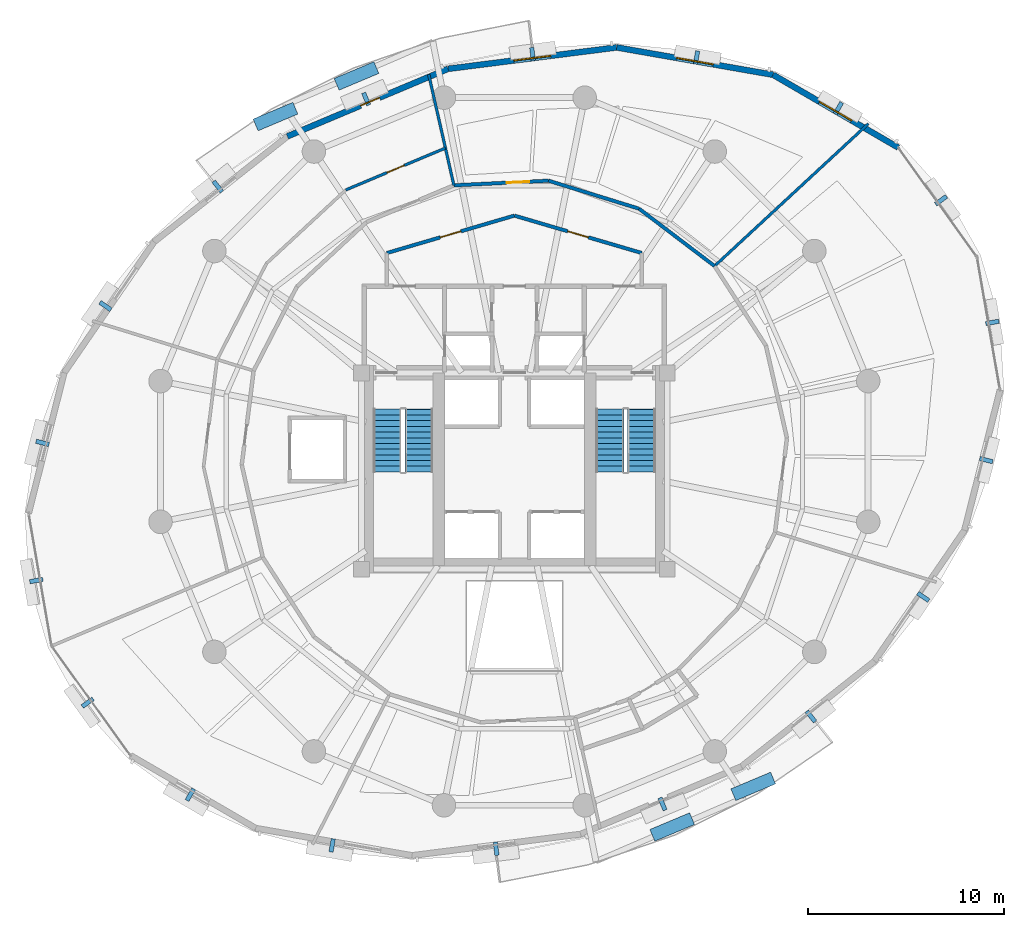
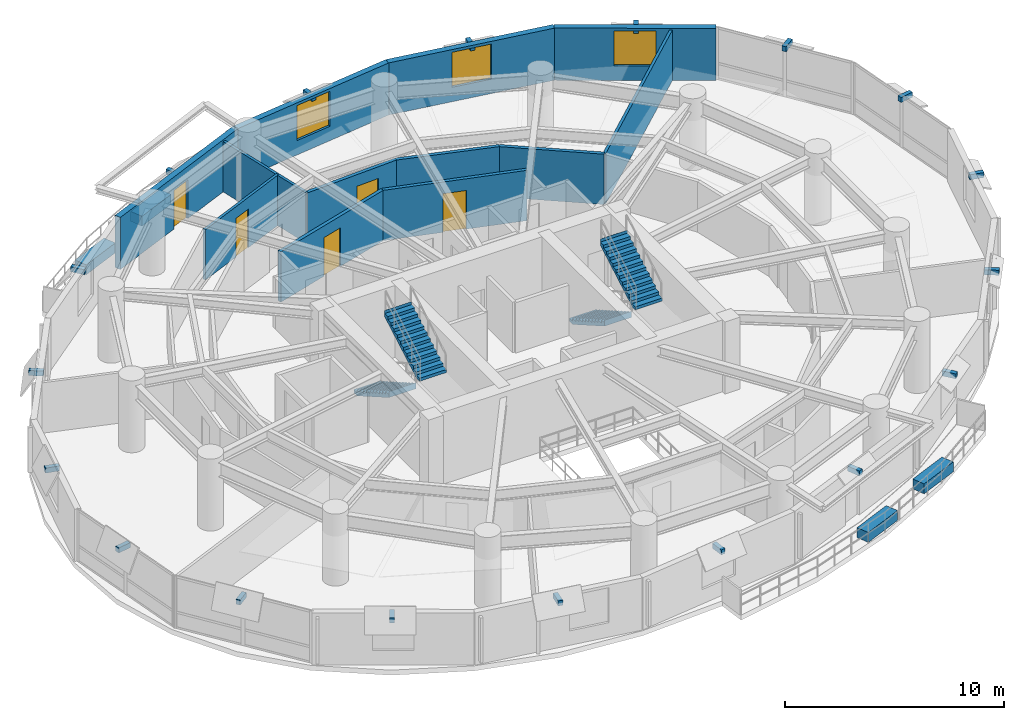
# One storey, part 12 of 14: 22 discrete accessories, 12 walls, 5 doors, 4 stair flights, 3 windows, 8 openings, 2 elements without a shape of their own.
"""IFC4 building model written with IfcOpenShell, lengths in metres."""

from ifc_helpers import new_model, si_unit, direction, frame, frame_2d, origin, origin_2d, place, context, subcontext, project, spatial, polyline, rectangle, outline, extrude, material, layer, layer_set, type_object, element, fill, aggregate, save


model = new_model("IFC4")

# Units and contexts
model_context = context("Model", 3, precision=1e-05, world=origin(), true_north=direction((0.0, 1.0)))
body_context = subcontext(model_context, "Body", "Model", "MODEL_VIEW")
ifc_project = project(units=[si_unit("LENGTHUNIT", "METRE"), si_unit("AREAUNIT", "SQUARE_METRE"), si_unit("VOLUMEUNIT", "CUBIC_METRE"), si_unit("PLANEANGLEUNIT", "RADIAN"), si_unit("MASSUNIT", "GRAM", prefix="KILO"), si_unit("THERMODYNAMICTEMPERATUREUNIT", "KELVIN"), si_unit("POWERUNIT", "WATT")], contexts=[model_context])

# Site, building, storey
site_placement = place(None, origin())
site = spatial("IfcSite", under=ifc_project, at=site_placement, CompositionType="ELEMENT")
building_placement = place(site_placement, origin())
building = spatial("IfcBuilding", under=site, at=building_placement, Name="Ocrelia Relay Tower", CompositionType="ELEMENT")
storey_placement = place(building_placement, frame((0.0, 0.0, 129.800048828125)))
storey = spatial("IfcBuildingStorey", under=building, at=storey_placement, Name="L30", CompositionType="ELEMENT", Elevation=129.800048828125)

# Wall, opening, door
ifc_material_1 = material(Name="Gypsum Fireboard Partition EI60", Category="gypsum")
ifc_layer_1 = layer(ifc_material_1, 0.179931640625, Name="Gypsum Fireboard Partition EI60")
ifc_layer_set_1 = layer_set([ifc_layer_1], Name="Gypsum Fireboard Partition EI60")
wall_type_1 = type_object("IfcWallType", Name="W-CORR-EI60-180", PredefinedType="PARTITIONING", material=ifc_layer_set_1)
wall_1_placement = place(storey_placement, frame((27.5, 36.122802734375, 0.0), z_axis=(0.0, 0.0, 1.0), x_axis=(0.959546654541, 0.281549671923, 0.0)))
wall_1 = element("IfcWall", 1, at=wall_1_placement, inside=storey, type_object=wall_type_1, Name="L30 North Smoke Lobby W Screen Wall", PredefinedType="PARTITIONING", context=body_context, shape_type="SweptSolid", body=[
    extrude(rectangle(XDim=6.77392578125, YDim=0.179931640625, at=frame_2d((3.386962890625, 0.0))), origin(), (0.0, 0.0, 1.0), 2.800048828125),
])
opening_1_placement = place(wall_1_placement, frame((2.8369140625, 0.0, 0.0)))
opening_1 = element("IfcOpeningElement", 2, at=opening_1_placement, cuts=wall_1, Name="Opening D-FD60", PredefinedType="OPENING", context=body_context, shape_type="SweptSolid", body=[
    extrude(rectangle(XDim=1.10009765625, YDim=2.14990234375, at=frame_2d((0.550048828125, 1.074951171875))), frame((0.0, 0.10009765625, 0.0), z_axis=(0.0, -1.0, 0.0), x_axis=(1.0, 0.0, 0.0)), (0.0, 0.0, 1.0), 0.199951171875),
])
ifc_material_2 = material(Name="Timber-core 60-min acoustic fire door", Category="wood")
door_type_1 = type_object("IfcDoorType", Name="DR-LOBBY-FD60-1100", OperationType="NOTDEFINED", PredefinedType="DOOR", material=ifc_material_2)
door_1_placement = place(opening_1_placement, origin())
door_1 = element("IfcDoor", 3, at=door_1_placement, inside=storey, type_object=door_type_1, Name="L30 North Smoke Lobby W Fire Door", OperationType="SINGLE_SWING_RIGHT", OverallHeight=2.14990234375, OverallWidth=1.10009765625, PredefinedType="DOOR", context=body_context, shape_type="SweptSolid", body=[
    extrude(rectangle(XDim=1.10009765625, YDim=2.14990234375, at=frame_2d((0.550048828125, 1.074951171875))), frame((0.0, 0.02490234375, 0.0), z_axis=(0.0, -1.0, 0.0), x_axis=(1.0, 0.0, 0.0)), (0.0, 0.0, 1.0), 0.050048828125),
])
fill(opening_1, door_1)

wall_2_placement = place(storey_placement, frame((34.0, 38.030029296875, 0.0), z_axis=(0.0, 0.0, 1.0), x_axis=(0.959546654541, -0.281549671923, 0.0)))
wall_2 = element("IfcWall", 4, at=wall_2_placement, inside=storey, type_object=wall_type_1, Name="L30 North Smoke Lobby E Screen Wall", PredefinedType="PARTITIONING", context=body_context, shape_type="SweptSolid", body=[
    extrude(rectangle(XDim=6.77392578125, YDim=0.179931640625, at=frame_2d((3.386962890625, 0.0))), origin(), (0.0, 0.0, 1.0), 2.800048828125),
])
opening_2_placement = place(wall_2_placement, frame((2.8369140625, 0.0, 0.0)))
opening_2 = element("IfcOpeningElement", 5, at=opening_2_placement, cuts=wall_2, Name="Opening D-FD60", PredefinedType="OPENING", context=body_context, shape_type="SweptSolid", body=[
    extrude(rectangle(XDim=1.10009765625, YDim=2.14990234375, at=frame_2d((0.550048828125, 1.074951171875))), frame((0.0, 0.10009765625, 0.0), z_axis=(0.0, -1.0, 0.0), x_axis=(1.0, 0.0, 0.0)), (0.0, 0.0, 1.0), 0.199951171875),
])
door_2_placement = place(opening_2_placement, origin())
door_2 = element("IfcDoor", 6, at=door_2_placement, inside=storey, type_object=door_type_1, Name="L30 North Smoke Lobby E Fire Door", OperationType="SINGLE_SWING_LEFT", OverallHeight=2.14990234375, OverallWidth=1.10009765625, PredefinedType="DOOR", context=body_context, shape_type="SweptSolid", body=[
    extrude(rectangle(XDim=1.10009765625, YDim=2.14990234375, at=frame_2d((0.550048828125, 1.074951171875))), frame((0.0, 0.02490234375, 0.0), z_axis=(0.0, -1.0, 0.0), x_axis=(1.0, 0.0, 0.0)), (0.0, 0.0, 1.0), 0.050048828125),
])
fill(opening_2, door_2)

# Walls
wall_3_placement = place(storey_placement, frame((44.21337890625, 35.457763671875, 0.0), z_axis=(0.0, 0.0, 1.0), x_axis=(-0.796520179577, 0.604611944579, 0.0)))
element("IfcWall", 7, at=wall_3_placement, inside=storey, type_object=wall_type_1, Name="L30 Optical Switching Hall B Corridor Partition 1", PredefinedType="PARTITIONING", context=body_context, shape_type="SweptSolid", body=[
    extrude(rectangle(XDim=4.834228515625, YDim=0.179931640625, at=frame_2d((2.4169921875, 0.0))), origin(), (0.0, 0.0, 1.0), 2.800048828125),
])
wall_4_placement = place(storey_placement, frame((40.36279296875, 38.380615234375, 0.0), z_axis=(0.0, 0.0, 1.0), x_axis=(-0.955270945658, 0.295732007706, 0.0)))
element("IfcWall", 8, at=wall_4_placement, inside=storey, type_object=wall_type_1, Name="L30 Optical Switching Hall B Corridor Partition 2", PredefinedType="PARTITIONING", context=body_context, shape_type="SweptSolid", body=[
    extrude(rectangle(XDim=4.83447265625, YDim=0.179931640625, at=frame_2d((2.417236328125, 0.0))), origin(), (0.0, 0.0, 1.0), 2.800048828125),
])

# Wall, opening, door
wall_5_placement = place(storey_placement, frame((35.74462890625, 39.810302734375, 0.0), z_axis=(0.0, 0.0, 1.0), x_axis=(-0.998806890168, -0.048834374699, 0.0)))
wall_5 = element("IfcWall", 9, at=wall_5_placement, inside=storey, type_object=wall_type_1, Name="L30 Optical Switching Hall B Corridor Partition 3", PredefinedType="PARTITIONING", context=body_context, shape_type="SweptSolid", body=[
    extrude(rectangle(XDim=4.83447265625, YDim=0.179931640625, at=frame_2d((2.417236328125, 0.0))), origin(), (0.0, 0.0, 1.0), 2.800048828125),
])
opening_3_placement = place(wall_5_placement, frame((0.99609375, 0.0, 0.0)))
opening_3 = element("IfcOpeningElement", 10, at=opening_3_placement, cuts=wall_5, Name="Opening D-RM115", PredefinedType="OPENING", context=body_context, shape_type="SweptSolid", body=[
    extrude(rectangle(XDim=1.14990234375, YDim=2.14990234375, at=frame_2d((0.574951171875, 1.074951171875))), frame((0.0, 0.10009765625, 0.0), z_axis=(0.0, -1.0, 0.0), x_axis=(1.0, 0.0, 0.0)), (0.0, 0.0, 1.0), 0.199951171875),
])
ifc_material_3 = material(Name="Wide acoustic oak veneer fire door", Category="wood")
door_type_2 = type_object("IfcDoorType", Name="DR-ROOM-1150", OperationType="NOTDEFINED", PredefinedType="DOOR", material=ifc_material_3)
door_3_placement = place(opening_3_placement, origin())
door_3 = element("IfcDoor", 11, at=door_3_placement, inside=storey, type_object=door_type_2, Name="L30 Optical Switching Hall B Entrance Door", OperationType="SINGLE_SWING_RIGHT", OverallHeight=2.14990234375, OverallWidth=1.14990234375, PredefinedType="DOOR", context=body_context, shape_type="SweptSolid", body=[
    extrude(rectangle(XDim=1.14990234375, YDim=2.14990234375, at=frame_2d((0.574951171875, 1.074951171875))), frame((0.0, 0.02490234375, 0.0), z_axis=(0.0, -1.0, 0.0), x_axis=(1.0, 0.0, 0.0)), (0.0, 0.0, 1.0), 0.050048828125),
])
fill(opening_3, door_3)

# Wall, opening, window
ifc_material_4 = material(Name="Precast concrete C40/50 with oxide terracotta", Category="masonry")
ifc_layer_2 = layer(ifc_material_4, 0.300048828125, Name="Precast concrete C40/50 with oxide terracotta")
ifc_layer_set_2 = layer_set([ifc_layer_2], Name="Precast concrete C40/50 with oxide terracotta")
wall_type_2 = type_object("IfcWallType", Name="W-EXT-TERR-300", PredefinedType="SOLIDWALL", material=ifc_layer_set_2)
wall_6_placement = place(storey_placement, frame((53.57861328125, 41.501953125, 0.0), z_axis=(0.0, 0.0, 1.0), x_axis=(-0.864447367907, 0.502723331585, 0.0)))
wall_6 = element("IfcWall", 12, at=wall_6_placement, inside=storey, type_object=wall_type_2, Name="L30 Oxide Terracotta Facade Wall 02", PredefinedType="SOLIDWALL", context=body_context, shape_type="SweptSolid", body=[
    extrude(rectangle(XDim=7.383056640625, YDim=0.300048828125, at=frame_2d((3.69140625, 0.0))), origin(), (0.0, 0.0, 1.0), 2.89990234375),
])
opening_4_placement = place(wall_6_placement, frame((2.741943359375, 0.0, 0.800048828125)))
opening_4 = element("IfcOpeningElement", 13, at=opening_4_placement, cuts=wall_6, Name="Opening W-06", PredefinedType="OPENING", context=body_context, shape_type="SweptSolid", body=[
    extrude(rectangle(XDim=1.89990234375, YDim=1.949951171875, at=frame_2d((0.949951171875, 0.97509765625))), frame((0.0, 0.16015625, 0.0), z_axis=(0.0, -1.0, 0.0), x_axis=(1.0, 0.0, 0.0)), (0.0, 0.0, 1.0), 0.320068359375),
])
ifc_material_5 = material(Name="Clear double-glazed low-E glass", Category="glass")
window_type = type_object("IfcWindowType", Name="WIN-Z2-1900x2100", PartitioningType="DOUBLE_PANEL_VERTICAL", PredefinedType="WINDOW", material=ifc_material_5)
window_1_placement = place(opening_4_placement, origin())
window_1 = element("IfcWindow", 14, at=window_1_placement, inside=storey, type_object=window_type, Name="L30 Facade Module Window 02", OverallHeight=1.949951171875, OverallWidth=1.89990234375, PartitioningType="SINGLE_PANEL", PredefinedType="WINDOW", context=body_context, shape_type="SweptSolid", body=[
    extrude(rectangle(XDim=1.89990234375, YDim=1.949951171875, at=frame_2d((0.949951171875, 0.97509765625))), frame((0.0, 0.030029296875, 0.0), z_axis=(0.0, -1.0, 0.0), x_axis=(1.0, 0.0, 0.0)), (0.0, 0.0, 1.0), 0.06005859375),
])
fill(opening_4, window_1)

wall_7_placement = place(storey_placement, frame((47.1962890625, 45.213623046875, 0.0), z_axis=(0.0, 0.0, 1.0), x_axis=(-0.985055293806, 0.172238404964, 0.0)))
wall_7 = element("IfcWall", 15, at=wall_7_placement, inside=storey, type_object=wall_type_2, Name="L30 Oxide Terracotta Facade Wall 03", PredefinedType="SOLIDWALL", context=body_context, shape_type="SweptSolid", body=[
    extrude(rectangle(XDim=8.09521484375, YDim=0.300048828125, at=frame_2d((4.047607421875, 0.0))), origin(), (0.0, 0.0, 1.0), 2.89990234375),
])
opening_5_placement = place(wall_7_placement, frame((3.097900390625, 0.0, 0.800048828125)))
opening_5 = element("IfcOpeningElement", 16, at=opening_5_placement, cuts=wall_7, Name="Opening W-06", PredefinedType="OPENING", context=body_context, shape_type="SweptSolid", body=[
    extrude(rectangle(XDim=1.89990234375, YDim=1.949951171875, at=frame_2d((0.949951171875, 0.97509765625))), frame((0.0, 0.16015625, 0.0), z_axis=(0.0, -1.0, 0.0), x_axis=(1.0, 0.0, 0.0)), (0.0, 0.0, 1.0), 0.320068359375),
])
window_2_placement = place(opening_5_placement, origin())
window_2 = element("IfcWindow", 17, at=window_2_placement, inside=storey, type_object=window_type, Name="L30 Facade Module Window 03", OverallHeight=1.949951171875, OverallWidth=1.89990234375, PartitioningType="SINGLE_PANEL", PredefinedType="WINDOW", context=body_context, shape_type="SweptSolid", body=[
    extrude(rectangle(XDim=1.89990234375, YDim=1.949951171875, at=frame_2d((0.949951171875, 0.97509765625))), frame((0.0, 0.030029296875, 0.0), z_axis=(0.0, -1.0, 0.0), x_axis=(1.0, 0.0, 0.0)), (0.0, 0.0, 1.0), 0.06005859375),
])
fill(opening_5, window_2)

wall_8_placement = place(storey_placement, frame((39.22216796875, 46.60791015625, 0.0), z_axis=(0.0, 0.0, 1.0), x_axis=(-0.992051922293, -0.12582918372, 0.0)))
wall_8 = element("IfcWall", 18, at=wall_8_placement, inside=storey, type_object=wall_type_2, Name="L30 Oxide Terracotta Facade Wall 04", PredefinedType="SOLIDWALL", context=body_context, shape_type="SweptSolid", body=[
    extrude(rectangle(XDim=8.6728515625, YDim=0.300048828125, at=frame_2d((4.33642578125, 0.0))), origin(), (0.0, 0.0, 1.0), 2.89990234375),
])
opening_6_placement = place(wall_8_placement, frame((3.385986328125, 0.0, 0.800048828125)))
opening_6 = element("IfcOpeningElement", 19, at=opening_6_placement, cuts=wall_8, Name="Opening W-06", PredefinedType="OPENING", context=body_context, shape_type="SweptSolid", body=[
    extrude(rectangle(XDim=1.89990234375, YDim=1.949951171875, at=frame_2d((0.949951171875, 0.97509765625))), frame((0.0, 0.16015625, 0.0), z_axis=(0.0, -1.0, 0.0), x_axis=(1.0, 0.0, 0.0)), (0.0, 0.0, 1.0), 0.320068359375),
])
window_3_placement = place(opening_6_placement, origin())
window_3 = element("IfcWindow", 20, at=window_3_placement, inside=storey, type_object=window_type, Name="L30 Facade Module Window 04", OverallHeight=1.949951171875, OverallWidth=1.89990234375, PartitioningType="SINGLE_PANEL", PredefinedType="WINDOW", context=body_context, shape_type="SweptSolid", body=[
    extrude(rectangle(XDim=1.89990234375, YDim=1.949951171875, at=frame_2d((0.949951171875, 0.97509765625))), frame((0.0, 0.030029296875, 0.0), z_axis=(0.0, -1.0, 0.0), x_axis=(1.0, 0.0, 0.0)), (0.0, 0.0, 1.0), 0.06005859375),
])
fill(opening_6, window_3)

# Wall, opening, door
wall_9_placement = place(storey_placement, frame((30.6181640625, 45.5166015625, 0.0), z_axis=(0.0, 0.0, 1.0), x_axis=(-0.921862650999, -0.387516777305, 0.0)))
wall_9 = element("IfcWall", 21, at=wall_9_placement, inside=storey, type_object=wall_type_2, Name="L30 Oxide Terracotta Facade Wall 05", PredefinedType="SOLIDWALL", context=body_context, shape_type="SweptSolid", body=[
    extrude(rectangle(XDim=8.890625, YDim=0.300048828125, at=frame_2d((4.4453125, 0.0))), origin(), (0.0, 0.0, 1.0), 2.89990234375),
])
opening_7_placement = place(wall_9_placement, frame((3.7900390625, 0.0, 0.0)))
opening_7 = element("IfcOpeningElement", 22, at=opening_7_placement, cuts=wall_9, Name="Opening DB-105", PredefinedType="OPENING", context=body_context, shape_type="SweptSolid", body=[
    extrude(rectangle(XDim=1.050048828125, YDim=2.14990234375, at=frame_2d((0.52490234375, 1.074951171875))), frame((0.0, 0.16015625, 0.0), z_axis=(0.0, -1.0, 0.0), x_axis=(1.0, 0.0, 0.0)), (0.0, 0.0, 1.0), 0.320068359375),
])
ifc_material_6 = material(Name="Thermally broken aluminium and clear glass", Category="aluminium")
door_type_3 = type_object("IfcDoorType", Name="DR-BALC-1050", OperationType="NOTDEFINED", PredefinedType="DOOR", material=ifc_material_6)
door_4_placement = place(opening_7_placement, origin())
door_4 = element("IfcDoor", 23, at=door_4_placement, inside=storey, type_object=door_type_3, Name="L30 Planted Loggia Balcony Door B1", OperationType="SINGLE_SWING_LEFT", OverallHeight=2.14990234375, OverallWidth=1.050048828125, PredefinedType="DOOR", context=body_context, shape_type="SweptSolid", body=[
    extrude(rectangle(XDim=1.050048828125, YDim=2.14990234375, at=frame_2d((0.52490234375, 1.074951171875))), frame((0.0, 0.02490234375, 0.0), z_axis=(0.0, -1.0, 0.0), x_axis=(1.0, 0.0, 0.0)), (0.0, 0.0, 1.0), 0.050048828125),
])
fill(opening_7, door_4)

# Walls
ifc_material_7 = material(Name="Acoustic Fireboard Partition EI60", Category="gypsum")
ifc_layer_3 = layer(ifc_material_7, 0.139892578125, Name="Acoustic Fireboard Partition EI60")
ifc_layer_set_3 = layer_set([ifc_layer_3], Name="Acoustic Fireboard Partition EI60")
wall_type_3 = type_object("IfcWallType", Name="W-PART-140", PredefinedType="PARTITIONING", material=ifc_layer_set_3)
wall_10_placement = place(storey_placement, frame((44.21337890625, 35.457763671875, 0.0), z_axis=(0.0, 0.0, 1.0), x_axis=(0.733742531986, 0.679427624368, 0.0)))
element("IfcWall", 24, at=wall_10_placement, inside=storey, type_object=wall_type_3, Name="L30 Optical Switching Hall A Radial Partition", PredefinedType="PARTITIONING", context=body_context, shape_type="SweptSolid", body=[
    extrude(rectangle(XDim=10.684326171875, YDim=0.139892578125, at=frame_2d((5.34228515625, 0.0))), origin(), (0.0, 0.0, 1.0), 2.800048828125),
])
wall_11_placement = place(storey_placement, frame((30.916015625, 39.57421875, 0.0), z_axis=(0.0, 0.0, 1.0), x_axis=(-0.221533824593, 0.975152687819, 0.0)))
element("IfcWall", 25, at=wall_11_placement, inside=storey, type_object=wall_type_3, Name="L30 Optical Switching Hall B Radial Partition", PredefinedType="PARTITIONING", context=body_context, shape_type="SweptSolid", body=[
    extrude(rectangle(XDim=5.803466796875, YDim=0.139892578125, at=frame_2d((2.90185546875, 0.0))), origin(), (0.0, 0.0, 1.0), 2.800048828125),
])

# Wall, opening, door
wall_12_placement = place(storey_placement, frame((30.48388671875, 41.4755859375, 0.0), z_axis=(0.0, 0.0, 1.0), x_axis=(-0.92186534913, -0.387510358666, 0.0)))
wall_12 = element("IfcWall", 26, at=wall_12_placement, inside=storey, type_object=wall_type_3, Name="L30 Perimeter Equipment Staging Store Mid-Ring Partition 1", PredefinedType="PARTITIONING", context=body_context, shape_type="SweptSolid", body=[
    extrude(rectangle(XDim=5.511474609375, YDim=0.139892578125, at=frame_2d((2.755859375, 0.0))), origin(), (0.0, 0.0, 1.0), 2.800048828125),
])
opening_8_placement = place(wall_12_placement, frame((2.28076171875, 0.0, 0.0)))
opening_8 = element("IfcOpeningElement", 27, at=opening_8_placement, cuts=wall_12, Name="Opening D-RM95", PredefinedType="OPENING", context=body_context, shape_type="SweptSolid", body=[
    extrude(rectangle(XDim=0.949951171875, YDim=2.14990234375, at=frame_2d((0.47509765625, 1.074951171875))), frame((0.0, 0.080078125, 0.0), z_axis=(0.0, -1.0, 0.0), x_axis=(1.0, 0.0, 0.0)), (0.0, 0.0, 1.0), 0.159912109375),
])
ifc_material_8 = material(Name="Acoustic oak veneer fire door", Category="wood")
door_type_4 = type_object("IfcDoorType", Name="DR-ROOM-950", OperationType="NOTDEFINED", PredefinedType="DOOR", material=ifc_material_8)
door_5_placement = place(opening_8_placement, origin())
door_5 = element("IfcDoor", 28, at=door_5_placement, inside=storey, type_object=door_type_4, Name="L30 Perimeter Equipment Staging Store Connecting Door", OperationType="SINGLE_SWING_RIGHT", OverallHeight=2.14990234375, OverallWidth=0.949951171875, PredefinedType="DOOR", context=body_context, shape_type="SweptSolid", body=[
    extrude(rectangle(XDim=0.949951171875, YDim=2.14990234375, at=frame_2d((0.47509765625, 1.074951171875))), frame((0.0, 0.02490234375, 0.0), z_axis=(0.0, -1.0, 0.0), x_axis=(1.0, 0.0, 0.0)), (0.0, 0.0, 1.0), 0.050048828125),
])
fill(opening_8, door_5)

# Stair, stair flights
ifc_material_9 = material(Name="Concrete C50/60", Category="concrete")
stair_type = type_object("IfcStairType", Name="ST-DL-1420-R167", PredefinedType="HALF_TURN_STAIR", material=ifc_material_9)
stair_1_placement = place(storey_placement, origin())
stair_1 = element("IfcStair", 29, at=stair_1_placement, inside=storey, type_object=stair_type, Name="L30 West Core Exit Stair ST1", PredefinedType="HALF_TURN_STAIR")
stair_flight_type = type_object("IfcStairFlightType", Name="STF-DL-1420-R167", PredefinedType="STRAIGHT", material=ifc_material_9)
stair_flight_1_placement = place(storey_placement, frame((27.52001953125, 28.14990234375, 0.0), z_axis=(0.0, 0.0, 1.0), x_axis=(0.0, -1.0, 0.0)))
stair_flight_1 = element("IfcStairFlight", 30, at=stair_flight_1_placement, type_object=stair_flight_type, Name="ST1 flight 1", NumberOfRisers=12, NumberOfTreads=11, PredefinedType="STRAIGHT", RiserHeight=0.166666667, TreadLength=0.29, context=body_context, shape_type="SweptSolid", body=[
    extrude(outline(polyline([(-0.008056640625, 0.0), (-0.008056640625, 0.166748046875), (0.0, 0.166748046875), (0.2900390625, 0.166748046875), (0.2900390625, 0.333251953125), (0.580078125, 0.333251953125), (0.580078125, 0.5), (0.8701171875, 0.5), (0.8701171875, 0.666748046875), (1.159912109375, 0.666748046875), (1.159912109375, 0.833251953125), (1.449951171875, 0.833251953125), (1.449951171875, 1.0), (1.739990234375, 1.0), (1.739990234375, 1.166748046875), (2.030029296875, 1.166748046875), (2.030029296875, 1.333251953125), (2.320068359375, 1.333251953125), (2.320068359375, 1.5), (2.610107421875, 1.5), (2.610107421875, 1.666748046875), (2.89990234375, 1.666748046875), (2.89990234375, 1.833251953125), (3.18994140625, 1.833251953125), (3.18994140625, 2.0), (3.197998046875, 2.0), (3.197998046875, 1.660400390625), (0.30078125, 0.0), (-0.008056640625, 0.0)])), frame((0.0, 0.7099609375, 0.0), z_axis=(0.0, -1.0, 0.0), x_axis=(1.0, 0.0, 0.0)), (0.0, 0.0, 1.0), 1.419921875),
])
stair_flight_2_placement = place(storey_placement, frame((29.139892578125, 24.9599609375, 2.0), z_axis=(0.0, 0.0, 1.0), x_axis=(0.0, 1.0, 0.0)))
stair_flight_2 = element("IfcStairFlight", 31, at=stair_flight_2_placement, type_object=stair_flight_type, Name="ST1 flight 2", NumberOfRisers=12, NumberOfTreads=11, PredefinedType="STRAIGHT", RiserHeight=0.166666667, TreadLength=0.29, context=body_context, shape_type="SweptSolid", body=[
    extrude(outline(polyline([(-0.008056640625, 0.0), (-0.008056640625, 0.166748046875), (0.0, 0.166748046875), (0.2900390625, 0.166748046875), (0.2900390625, 0.333251953125), (0.580078125, 0.333251953125), (0.580078125, 0.5), (0.8701171875, 0.5), (0.8701171875, 0.666748046875), (1.159912109375, 0.666748046875), (1.159912109375, 0.833251953125), (1.449951171875, 0.833251953125), (1.449951171875, 1.0), (1.739990234375, 1.0), (1.739990234375, 1.166748046875), (2.030029296875, 1.166748046875), (2.030029296875, 1.333251953125), (2.320068359375, 1.333251953125), (2.320068359375, 1.5), (2.610107421875, 1.5), (2.610107421875, 1.666748046875), (2.89990234375, 1.666748046875), (2.89990234375, 1.833251953125), (3.18994140625, 1.833251953125), (3.18994140625, 2.0), (3.197998046875, 2.0), (3.197998046875, 1.660400390625), (0.30078125, 0.0), (-0.008056640625, 0.0)])), frame((0.0, 0.7099609375, 0.0), z_axis=(0.0, -1.0, 0.0), x_axis=(1.0, 0.0, 0.0)), (0.0, 0.0, 1.0), 1.419921875),
])
aggregate(stair_1, [stair_flight_1, stair_flight_2])

stair_2_placement = place(storey_placement, origin())
stair_2 = element("IfcStair", 32, at=stair_2_placement, inside=storey, type_object=stair_type, Name="L30 East Core Exit Stair ST2", PredefinedType="HALF_TURN_STAIR")
stair_flight_3_placement = place(storey_placement, frame((38.8701171875, 28.14990234375, 0.0), z_axis=(0.0, 0.0, 1.0), x_axis=(0.0, -1.0, 0.0)))
stair_flight_3 = element("IfcStairFlight", 33, at=stair_flight_3_placement, type_object=stair_flight_type, Name="ST2 flight 1", NumberOfRisers=12, NumberOfTreads=11, PredefinedType="STRAIGHT", RiserHeight=0.166666667, TreadLength=0.29, context=body_context, shape_type="SweptSolid", body=[
    extrude(outline(polyline([(-0.008056640625, 0.0), (-0.008056640625, 0.166748046875), (0.0, 0.166748046875), (0.2900390625, 0.166748046875), (0.2900390625, 0.333251953125), (0.580078125, 0.333251953125), (0.580078125, 0.5), (0.8701171875, 0.5), (0.8701171875, 0.666748046875), (1.159912109375, 0.666748046875), (1.159912109375, 0.833251953125), (1.449951171875, 0.833251953125), (1.449951171875, 1.0), (1.739990234375, 1.0), (1.739990234375, 1.166748046875), (2.030029296875, 1.166748046875), (2.030029296875, 1.333251953125), (2.320068359375, 1.333251953125), (2.320068359375, 1.5), (2.610107421875, 1.5), (2.610107421875, 1.666748046875), (2.89990234375, 1.666748046875), (2.89990234375, 1.833251953125), (3.18994140625, 1.833251953125), (3.18994140625, 2.0), (3.197998046875, 2.0), (3.197998046875, 1.660400390625), (0.30078125, 0.0), (-0.008056640625, 0.0)])), frame((0.0, 0.7099609375, 0.0), z_axis=(0.0, -1.0, 0.0), x_axis=(1.0, 0.0, 0.0)), (0.0, 0.0, 1.0), 1.419921875),
])
stair_flight_4_placement = place(storey_placement, frame((40.489990234375, 24.9599609375, 2.0), z_axis=(0.0, 0.0, 1.0), x_axis=(0.0, 1.0, 0.0)))
stair_flight_4 = element("IfcStairFlight", 34, at=stair_flight_4_placement, type_object=stair_flight_type, Name="ST2 flight 2", NumberOfRisers=12, NumberOfTreads=11, PredefinedType="STRAIGHT", RiserHeight=0.166666667, TreadLength=0.29, context=body_context, shape_type="SweptSolid", body=[
    extrude(outline(polyline([(-0.008056640625, 0.0), (-0.008056640625, 0.166748046875), (0.0, 0.166748046875), (0.2900390625, 0.166748046875), (0.2900390625, 0.333251953125), (0.580078125, 0.333251953125), (0.580078125, 0.5), (0.8701171875, 0.5), (0.8701171875, 0.666748046875), (1.159912109375, 0.666748046875), (1.159912109375, 0.833251953125), (1.449951171875, 0.833251953125), (1.449951171875, 1.0), (1.739990234375, 1.0), (1.739990234375, 1.166748046875), (2.030029296875, 1.166748046875), (2.030029296875, 1.333251953125), (2.320068359375, 1.333251953125), (2.320068359375, 1.5), (2.610107421875, 1.5), (2.610107421875, 1.666748046875), (2.89990234375, 1.666748046875), (2.89990234375, 1.833251953125), (3.18994140625, 1.833251953125), (3.18994140625, 2.0), (3.197998046875, 2.0), (3.197998046875, 1.660400390625), (0.30078125, 0.0), (-0.008056640625, 0.0)])), frame((0.0, 0.7099609375, 0.0), z_axis=(0.0, -1.0, 0.0), x_axis=(1.0, 0.0, 0.0)), (0.0, 0.0, 1.0), 1.419921875),
])
aggregate(stair_2, [stair_flight_3, stair_flight_4])

# Discrete accessories
ifc_material_10 = material(Name="Precast concrete C40/50 planter with highland greenery", Category="concrete")
discrete_accessory_type_1 = type_object("IfcDiscreteAccessoryType", Name="ACC-BALC-PLANTER", PredefinedType="USERDEFINED", material=ifc_material_10)
for number, where, z_axis, x_axis, name in (
    (35, (25.948486328125, 45.15380859375, 0.0), (0.0, 0.0, 1.0), (0.921863681279, 0.387514326367, 0.0), "L30 Balcony Terracotta Planter with Greenery B1"),
    (36, (21.817138671875, 43.081298828125, 0.0), (0.0, 0.0, 1.0), (0.921863681279, 0.387514326367, 0.0), "L30 Balcony Terracotta Planter B1-2"),
    (37, (42.051513671875, 6.84619140625, 0.0), (0.0, 0.0, 1.0), (-0.921863681279, -0.387514326367, 0.0), "L30 Balcony Terracotta Planter with Greenery B2"),
    (38, (46.182861328125, 8.918701171875, 0.0), (0.0, 0.0, 1.0), (-0.921863681279, -0.387514326367, 0.0), "L30 Balcony Terracotta Planter B2-2"),
):
    element("IfcDiscreteAccessory", number, at=place(storey_placement, frame(where, z_axis=z_axis, x_axis=x_axis)), inside=storey, type_object=discrete_accessory_type_1, Name=name, ObjectType="PLANTER", PredefinedType="USERDEFINED", context=body_context, shape_type="SweptSolid", body=[
        extrude(rectangle(XDim=2.199951171875, YDim=0.64990234375, at=origin_2d()), origin(), (0.0, 0.0, 1.0), 0.550048828125),
    ])
ifc_material_11 = material(Name="Steel S355", Category="steel")
discrete_accessory_type_2 = type_object("IfcDiscreteAccessoryType", Name="ACC-VISOR-BRACKET", PredefinedType="BRACKET", material=ifc_material_11)
for number, where, z_axis, x_axis, name in (
    (39, (55.761474609375, 38.8125, 2.60009765625), (0.0, 0.0, 1.0), (-0.58452681603, 0.811374390366, 0.0), "L30 Visor Mounting Bracket 01"),
    (40, (50.524658203125, 43.503173828125, 2.60009765625), (0.0, 0.0, 1.0), (-0.864445728571, 0.502726150459, 0.0), "L30 Visor Mounting Bracket 02"),
    (41, (43.293212890625, 46.09228515625, 2.60009765625), (0.0, 0.0, 1.0), (-0.985054946327, 0.172240392232, 0.0), "L30 Visor Mounting Bracket 03"),
    (42, (34.92919921875, 46.26220703125, 2.60009765625), (0.0, 0.0, 1.0), (-0.992052038851, -0.125828264753, 0.0), "L30 Visor Mounting Bracket 04"),
    (43, (26.4423828125, 43.978515625, 2.60009765625), (0.0, 0.0, 1.0), (-0.921864083545, -0.387513369408, 0.0), "L30 Visor Mounting Bracket 05"),
    (44, (18.873046875, 39.5126953125, 2.60009765625), (0.0, 0.0, 1.0), (-0.784001867769, -0.62075846457, 0.0), "L30 Visor Mounting Bracket 06"),
    (45, (13.142578125, 33.418212890625, 2.60009765625), (0.0, 0.0, 1.0), (-0.566147090887, -0.824304234782, 0.0), "L30 Visor Mounting Bracket 07"),
    (46, (9.9326171875, 26.43994140625, 2.60009765625), (0.0, 0.0, 1.0), (-0.245635180575, -0.969362346114, 0.0), "L30 Visor Mounting Bracket 08"),
    (47, (9.6201171875, 19.41650390625, 2.60009765625), (0.0, 0.0, 1.0), (0.170734411981, -0.985317086306, 0.0), "L30 Visor Mounting Bracket 09"),
    (48, (12.238525390625, 13.1875, 2.60009765625), (0.0, 0.0, 1.0), (0.58452681603, -0.811374390366, 0.0), "L30 Visor Mounting Bracket 10"),
    (49, (17.475341796875, 8.496826171875, 2.60009765625), (0.0, 0.0, 1.0), (0.864445728571, -0.502726150459, 0.0), "L30 Visor Mounting Bracket 11"),
    (50, (24.706787109375, 5.90771484375, 2.60009765625), (0.0, 0.0, 1.0), (0.985054946327, -0.172240392232, 0.0), "L30 Visor Mounting Bracket 12"),
    (51, (33.07080078125, 5.73779296875, 2.60009765625), (0.0, 0.0, 1.0), (0.992052038851, 0.125828264753, 0.0), "L30 Visor Mounting Bracket 13"),
    (52, (41.5576171875, 8.021484375, 2.60009765625), (0.0, 0.0, 1.0), (0.921864083545, 0.387513369408, 0.0), "L30 Visor Mounting Bracket 14"),
    (53, (49.126953125, 12.4873046875, 2.60009765625), (0.0, 0.0, 1.0), (0.784001867769, 0.62075846457, 0.0), "L30 Visor Mounting Bracket 15"),
    (54, (54.857421875, 18.581787109375, 2.60009765625), (0.0, 0.0, 1.0), (0.566147090887, 0.824304234782, 0.0), "L30 Visor Mounting Bracket 16"),
    (55, (58.0673828125, 25.56005859375, 2.60009765625), (0.0, 0.0, 1.0), (0.245635180575, 0.969362346114, 0.0), "L30 Visor Mounting Bracket 17"),
    (56, (58.3798828125, 32.58349609375, 2.60009765625), (0.0, 0.0, 1.0), (-0.170734411981, 0.985317086306, 0.0), "L30 Visor Mounting Bracket 18"),
):
    element("IfcDiscreteAccessory", number, at=place(storey_placement, frame(where, z_axis=z_axis, x_axis=x_axis)), inside=storey, type_object=discrete_accessory_type_2, Name=name, PredefinedType="BRACKET", context=body_context, shape_type="SweptSolid", body=[
        extrude(rectangle(XDim=0.219970703125, YDim=0.679931640625, at=origin_2d()), origin(), (0.0, 0.0, 1.0), 0.280029296875),
    ])

save(model, "model.ifc")
